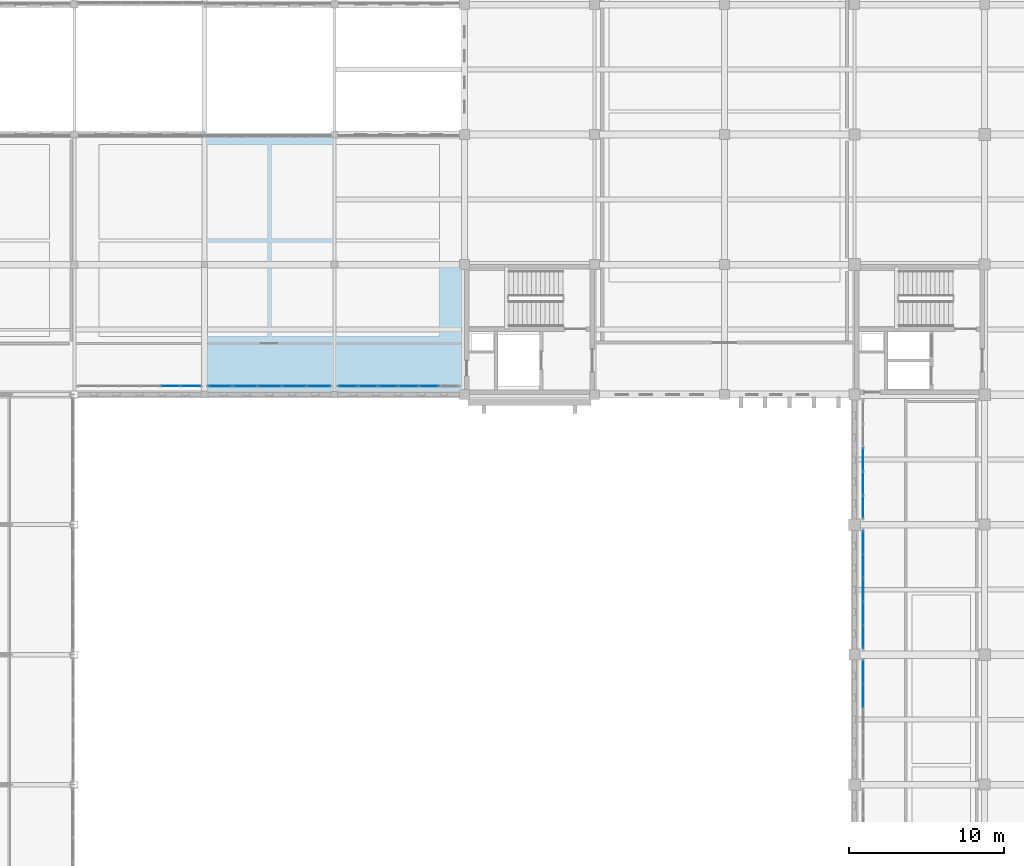
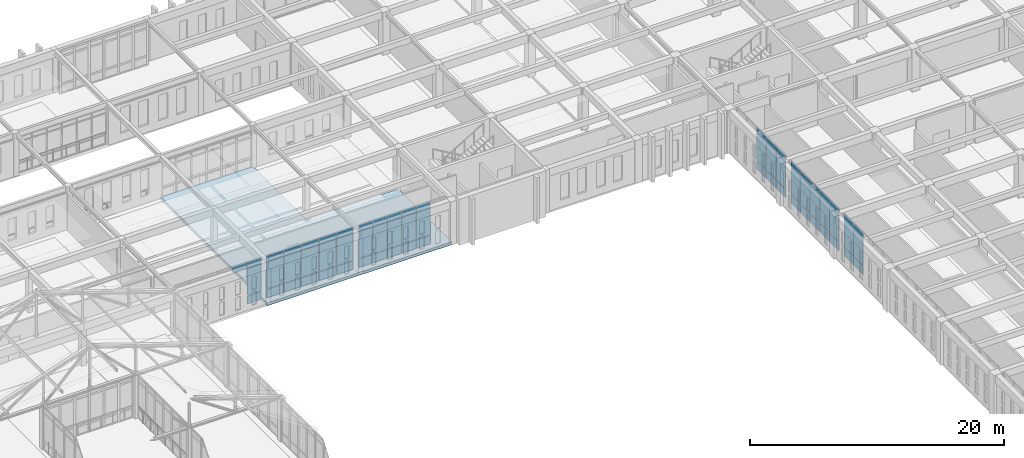
# One storey, part 125 of 192: 64 plates, 1 slab, 6 elements without a shape of their own.
"""IFC4 building model written with IfcOpenShell, lengths in metres."""

from ifc_helpers import new_model, si_unit, direction, frame, origin, origin_2d, place, context, subcontext, project, spatial, polyline, rectangle, outline, extrude, material, layer, layer_set, type_object, element, aggregate, save


model = new_model("IFC4")

# Units and contexts
model_context = context("Model", 3, precision=1e-05, world=origin(), true_north=direction((0.0, 1.0)))
body_context = subcontext(model_context, "Body", "Model", "MODEL_VIEW")
ifc_project = project(units=[si_unit("LENGTHUNIT", "METRE"), si_unit("AREAUNIT", "SQUARE_METRE"), si_unit("VOLUMEUNIT", "CUBIC_METRE"), si_unit("PLANEANGLEUNIT", "RADIAN"), si_unit("MASSUNIT", "GRAM", prefix="KILO")], contexts=[model_context])

# Site, building, storey
site_placement = place(None, origin())
site = spatial("IfcSite", under=ifc_project, at=site_placement, CompositionType="ELEMENT")
building_placement = place(site_placement, origin())
building = spatial("IfcBuilding", under=site, at=building_placement, Name="Kveldsbrygga Polytechnic", CompositionType="ELEMENT")
storey_placement = place(building_placement, frame((0.0, 0.0, 5.43994140625)))
storey = spatial("IfcBuildingStorey", under=building, at=storey_placement, Name="L01", CompositionType="ELEMENT", Elevation=5.43994140625)

# Curtain wall, plates
ifc_material_1 = material(Name="Anodised aluminium AW-6060", Category="aluminium")
ifc_layer_1 = layer(ifc_material_1, 0.18994140625)
ifc_layer_set_1 = layer_set([ifc_layer_1], Name="Anodised aluminium AW-6060")
curtain_wall_type_1 = type_object("IfcCurtainWallType", Name="CW-REFC-G", PredefinedType="USERDEFINED", material=ifc_layer_set_1)
curtain_wall_1_placement = place(storey_placement, origin())
curtain_wall_1 = element("IfcCurtainWall", 1, at=curtain_wall_1_placement, inside=storey, type_object=curtain_wall_type_1, Name="Curtain Wall CW-L01-X-10-10", ObjectType="UNITISED CURTAIN WALL", PredefinedType="USERDEFINED")
ifc_material_2 = material(Name="Insulated triple low-E glass", Category="glass")
ifc_layer_2 = layer(ifc_material_2, 0.035888671875)
ifc_layer_set_2 = layer_set([ifc_layer_2], Name="Insulated triple low-E glass")
plate_type_1 = type_object("IfcPlateType", Name="CW-PAN-VIS36", PredefinedType="CURTAIN_PANEL", material=ifc_layer_set_2)
plate_1_placement = place(storey_placement, frame((85.0283203125, 84.550048828125, 0.06005859375), z_axis=(0.0, 0.0, 1.0), x_axis=(1.0, 0.0, 0.0)))
plate_1 = element("IfcPlate", 2, at=plate_1_placement, type_object=plate_type_1, Name="CW-07 panel 1.1", PredefinedType="CURTAIN_PANEL", context=body_context, shape_type="SweptSolid", body=[
    extrude(rectangle(XDim=1.486572265625, YDim=0.035888671875, at=origin_2d()), origin(), (0.0, 0.0, 1.0), 0.81005859375),
])
plate_2_placement = place(storey_placement, frame((85.0283203125, 84.550048828125, 0.93017578125), z_axis=(0.0, 0.0, 1.0), x_axis=(1.0, 0.0, 0.0)))
plate_2 = element("IfcPlate", 3, at=plate_2_placement, type_object=plate_type_1, Name="CW-07 panel 1.2", PredefinedType="CURTAIN_PANEL", context=body_context, shape_type="SweptSolid", body=[
    extrude(rectangle(XDim=1.486572265625, YDim=0.035888671875, at=origin_2d()), origin(), (0.0, 0.0, 1.0), 2.610107421875),
])
plate_3_placement = place(storey_placement, frame((85.0283203125, 84.550048828125, 3.60009765625), z_axis=(0.0, 0.0, 1.0), x_axis=(1.0, 0.0, 0.0)))
plate_3 = element("IfcPlate", 4, at=plate_3_placement, type_object=plate_type_1, Name="CW-07 panel 1.3", PredefinedType="CURTAIN_PANEL", context=body_context, shape_type="SweptSolid", body=[
    extrude(rectangle(XDim=1.486572265625, YDim=0.035888671875, at=origin_2d()), origin(), (0.0, 0.0, 1.0), 0.4599609375),
])
plate_4_placement = place(storey_placement, frame((86.6083984375, 84.550048828125, 0.06005859375), z_axis=(0.0, 0.0, 1.0), x_axis=(1.0, 0.0, 0.0)))
plate_4 = element("IfcPlate", 5, at=plate_4_placement, type_object=plate_type_1, Name="CW-07 panel 2.1", PredefinedType="CURTAIN_PANEL", context=body_context, shape_type="SweptSolid", body=[
    extrude(rectangle(XDim=1.52392578125, YDim=0.035888671875, at=origin_2d()), origin(), (0.0, 0.0, 1.0), 0.81005859375),
])
plate_5_placement = place(storey_placement, frame((86.6083984375, 84.550048828125, 0.93017578125), z_axis=(0.0, 0.0, 1.0), x_axis=(1.0, 0.0, 0.0)))
plate_5 = element("IfcPlate", 6, at=plate_5_placement, type_object=plate_type_1, Name="CW-07 panel 2.2", PredefinedType="CURTAIN_PANEL", context=body_context, shape_type="SweptSolid", body=[
    extrude(rectangle(XDim=1.52392578125, YDim=0.035888671875, at=origin_2d()), origin(), (0.0, 0.0, 1.0), 2.610107421875),
])
plate_6_placement = place(storey_placement, frame((86.6083984375, 84.550048828125, 3.60009765625), z_axis=(0.0, 0.0, 1.0), x_axis=(1.0, 0.0, 0.0)))
plate_6 = element("IfcPlate", 7, at=plate_6_placement, type_object=plate_type_1, Name="CW-07 panel 2.3", PredefinedType="CURTAIN_PANEL", context=body_context, shape_type="SweptSolid", body=[
    extrude(rectangle(XDim=1.52392578125, YDim=0.035888671875, at=origin_2d()), origin(), (0.0, 0.0, 1.0), 0.4599609375),
])
plate_7_placement = place(storey_placement, frame((88.20751953125, 84.550048828125, 0.06005859375), z_axis=(0.0, 0.0, 1.0), x_axis=(1.0, 0.0, 0.0)))
plate_7 = element("IfcPlate", 8, at=plate_7_placement, type_object=plate_type_1, Name="CW-07 panel 3.1", PredefinedType="CURTAIN_PANEL", context=body_context, shape_type="SweptSolid", body=[
    extrude(rectangle(XDim=1.52392578125, YDim=0.035888671875, at=origin_2d()), origin(), (0.0, 0.0, 1.0), 0.81005859375),
])
plate_8_placement = place(storey_placement, frame((88.20751953125, 84.550048828125, 0.93017578125), z_axis=(0.0, 0.0, 1.0), x_axis=(1.0, 0.0, 0.0)))
plate_8 = element("IfcPlate", 9, at=plate_8_placement, type_object=plate_type_1, Name="CW-07 panel 3.2", PredefinedType="CURTAIN_PANEL", context=body_context, shape_type="SweptSolid", body=[
    extrude(rectangle(XDim=1.52392578125, YDim=0.035888671875, at=origin_2d()), origin(), (0.0, 0.0, 1.0), 2.610107421875),
])
plate_9_placement = place(storey_placement, frame((88.20751953125, 84.550048828125, 3.60009765625), z_axis=(0.0, 0.0, 1.0), x_axis=(1.0, 0.0, 0.0)))
plate_9 = element("IfcPlate", 10, at=plate_9_placement, type_object=plate_type_1, Name="CW-07 panel 3.3", PredefinedType="CURTAIN_PANEL", context=body_context, shape_type="SweptSolid", body=[
    extrude(rectangle(XDim=1.52392578125, YDim=0.035888671875, at=origin_2d()), origin(), (0.0, 0.0, 1.0), 0.4599609375),
])
plate_10_placement = place(storey_placement, frame((89.806396484375, 84.550048828125, 0.06005859375), z_axis=(0.0, 0.0, 1.0), x_axis=(1.0, 0.0, 0.0)))
plate_10 = element("IfcPlate", 11, at=plate_10_placement, type_object=plate_type_1, Name="CW-07 panel 4.1", PredefinedType="CURTAIN_PANEL", context=body_context, shape_type="SweptSolid", body=[
    extrude(rectangle(XDim=1.52392578125, YDim=0.035888671875, at=origin_2d()), origin(), (0.0, 0.0, 1.0), 0.81005859375),
])
plate_11_placement = place(storey_placement, frame((89.806396484375, 84.550048828125, 0.93017578125), z_axis=(0.0, 0.0, 1.0), x_axis=(1.0, 0.0, 0.0)))
plate_11 = element("IfcPlate", 12, at=plate_11_placement, type_object=plate_type_1, Name="CW-07 panel 4.2", PredefinedType="CURTAIN_PANEL", context=body_context, shape_type="SweptSolid", body=[
    extrude(rectangle(XDim=1.52392578125, YDim=0.035888671875, at=origin_2d()), origin(), (0.0, 0.0, 1.0), 2.610107421875),
])
plate_12_placement = place(storey_placement, frame((89.806396484375, 84.550048828125, 3.60009765625), z_axis=(0.0, 0.0, 1.0), x_axis=(1.0, 0.0, 0.0)))
plate_12 = element("IfcPlate", 13, at=plate_12_placement, type_object=plate_type_1, Name="CW-07 panel 4.3", PredefinedType="CURTAIN_PANEL", context=body_context, shape_type="SweptSolid", body=[
    extrude(rectangle(XDim=1.52392578125, YDim=0.035888671875, at=origin_2d()), origin(), (0.0, 0.0, 1.0), 0.4599609375),
])
plate_13_placement = place(storey_placement, frame((91.38671875, 84.550048828125, 0.06005859375), z_axis=(0.0, 0.0, 1.0), x_axis=(1.0, 0.0, 0.0)))
plate_13 = element("IfcPlate", 14, at=plate_13_placement, type_object=plate_type_1, Name="CW-07 panel 5.1", PredefinedType="CURTAIN_PANEL", context=body_context, shape_type="SweptSolid", body=[
    extrude(rectangle(XDim=1.486572265625, YDim=0.035888671875, at=origin_2d()), origin(), (0.0, 0.0, 1.0), 0.81005859375),
])
plate_14_placement = place(storey_placement, frame((91.38671875, 84.550048828125, 0.93017578125), z_axis=(0.0, 0.0, 1.0), x_axis=(1.0, 0.0, 0.0)))
plate_14 = element("IfcPlate", 15, at=plate_14_placement, type_object=plate_type_1, Name="CW-07 panel 5.2", PredefinedType="CURTAIN_PANEL", context=body_context, shape_type="SweptSolid", body=[
    extrude(rectangle(XDim=1.486572265625, YDim=0.035888671875, at=origin_2d()), origin(), (0.0, 0.0, 1.0), 2.610107421875),
])
plate_15_placement = place(storey_placement, frame((91.38671875, 84.550048828125, 3.60009765625), z_axis=(0.0, 0.0, 1.0), x_axis=(1.0, 0.0, 0.0)))
plate_15 = element("IfcPlate", 16, at=plate_15_placement, type_object=plate_type_1, Name="CW-07 panel 5.3", PredefinedType="CURTAIN_PANEL", context=body_context, shape_type="SweptSolid", body=[
    extrude(rectangle(XDim=1.486572265625, YDim=0.035888671875, at=origin_2d()), origin(), (0.0, 0.0, 1.0), 0.4599609375),
])
aggregate(curtain_wall_1, [plate_1, plate_2, plate_3, plate_4, plate_5, plate_6, plate_7, plate_8, plate_9, plate_10, plate_11, plate_12, plate_13, plate_14, plate_15])

ifc_layer_3 = layer(ifc_material_1, 0.179931640625)
ifc_layer_set_3 = layer_set([ifc_layer_3], Name="Anodised aluminium AW-6060")
curtain_wall_type_2 = type_object("IfcCurtainWallType", Name="CW-CONC-A", PredefinedType="USERDEFINED", material=ifc_layer_set_3)
curtain_wall_2_placement = place(storey_placement, origin())
curtain_wall_2 = element("IfcCurtainWall", 17, at=curtain_wall_2_placement, inside=storey, type_object=curtain_wall_type_2, Name="Curtain Wall CW-L01-Y-15-07", ObjectType="UNITISED CURTAIN WALL", PredefinedType="USERDEFINED")
plate_16_placement = place(storey_placement, frame((126.550048828125, 64.54638671875, 0.06005859375), z_axis=(0.0, 0.0, 1.0), x_axis=(0.0, 1.0, 0.0)))
plate_16 = element("IfcPlate", 18, at=plate_16_placement, type_object=plate_type_1, Name="CW-01 panel 4.1", PredefinedType="CURTAIN_PANEL", context=body_context, shape_type="SweptSolid", body=[
    extrude(rectangle(XDim=1.47900390625, YDim=0.035888671875, at=origin_2d()), origin(), (0.0, 0.0, 1.0), 0.81005859375),
])
plate_17_placement = place(storey_placement, frame((126.550048828125, 64.54638671875, 0.93017578125), z_axis=(0.0, 0.0, 1.0), x_axis=(0.0, 1.0, 0.0)))
plate_17 = element("IfcPlate", 19, at=plate_17_placement, type_object=plate_type_1, Name="CW-01 panel 4.2", PredefinedType="CURTAIN_PANEL", context=body_context, shape_type="SweptSolid", body=[
    extrude(rectangle(XDim=1.47900390625, YDim=0.035888671875, at=origin_2d()), origin(), (0.0, 0.0, 1.0), 2.610107421875),
])
plate_18_placement = place(storey_placement, frame((126.550048828125, 64.54638671875, 3.60009765625), z_axis=(0.0, 0.0, 1.0), x_axis=(0.0, 1.0, 0.0)))
plate_18 = element("IfcPlate", 20, at=plate_18_placement, type_object=plate_type_1, Name="CW-01 panel 4.3", PredefinedType="CURTAIN_PANEL", context=body_context, shape_type="SweptSolid", body=[
    extrude(rectangle(XDim=1.47900390625, YDim=0.035888671875, at=origin_2d()), origin(), (0.0, 0.0, 1.0), 0.4599609375),
])
plate_19_placement = place(storey_placement, frame((126.550048828125, 66.070556640625, 0.06005859375), z_axis=(0.0, 0.0, 1.0), x_axis=(0.0, 1.0, 0.0)))
plate_19 = element("IfcPlate", 21, at=plate_19_placement, type_object=plate_type_1, Name="CW-01 panel 5.1", PredefinedType="CURTAIN_PANEL", context=body_context, shape_type="SweptSolid", body=[
    extrude(rectangle(XDim=1.448974609375, YDim=0.035888671875, at=origin_2d()), origin(), (0.0, 0.0, 1.0), 0.81005859375),
])
plate_20_placement = place(storey_placement, frame((126.550048828125, 66.070556640625, 0.93017578125), z_axis=(0.0, 0.0, 1.0), x_axis=(0.0, 1.0, 0.0)))
plate_20 = element("IfcPlate", 22, at=plate_20_placement, type_object=plate_type_1, Name="CW-01 panel 5.2", PredefinedType="CURTAIN_PANEL", context=body_context, shape_type="SweptSolid", body=[
    extrude(rectangle(XDim=1.448974609375, YDim=0.035888671875, at=origin_2d()), origin(), (0.0, 0.0, 1.0), 2.610107421875),
])
plate_21_placement = place(storey_placement, frame((126.550048828125, 66.070556640625, 3.60009765625), z_axis=(0.0, 0.0, 1.0), x_axis=(0.0, 1.0, 0.0)))
plate_21 = element("IfcPlate", 23, at=plate_21_placement, type_object=plate_type_1, Name="CW-01 panel 5.3", PredefinedType="CURTAIN_PANEL", context=body_context, shape_type="SweptSolid", body=[
    extrude(rectangle(XDim=1.448974609375, YDim=0.035888671875, at=origin_2d()), origin(), (0.0, 0.0, 1.0), 0.4599609375),
])
aggregate(curtain_wall_2, [plate_16, plate_17, plate_18, plate_19, plate_20, plate_21])

ifc_layer_4 = layer(ifc_material_1, 0.2099609375)
ifc_layer_set_4 = layer_set([ifc_layer_4], Name="Anodised aluminium AW-6060")
curtain_wall_type_3 = type_object("IfcCurtainWallType", Name="CW-LIBR-H", PredefinedType="USERDEFINED", material=ifc_layer_set_4)
curtain_wall_3_placement = place(storey_placement, origin())
curtain_wall_3 = element("IfcCurtainWall", 24, at=curtain_wall_3_placement, inside=storey, type_object=curtain_wall_type_3, Name="Curtain Wall CW-L01-X-11-10", ObjectType="UNITISED CURTAIN WALL", PredefinedType="USERDEFINED")
ifc_layer_5 = layer(ifc_material_2, 0.0419921875)
ifc_layer_set_5 = layer_set([ifc_layer_5], Name="Insulated triple low-E glass")
plate_type_2 = type_object("IfcPlateType", Name="CW-PAN-VIS42", PredefinedType="CURTAIN_PANEL", material=ifc_layer_set_5)
plate_22_placement = place(storey_placement, frame((93.271728515625, 84.550048828125, 0.06005859375), z_axis=(0.0, 0.0, 1.0), x_axis=(1.0, 0.0, 0.0)))
plate_22 = element("IfcPlate", 25, at=plate_22_placement, type_object=plate_type_2, Name="CW-08 panel 1.1", PredefinedType="CURTAIN_PANEL", context=body_context, shape_type="SweptSolid", body=[
    extrude(rectangle(XDim=1.203369140625, YDim=0.0419921875, at=origin_2d()), origin(), (0.0, 0.0, 1.0), 0.81005859375),
])
plate_23_placement = place(storey_placement, frame((93.271728515625, 84.550048828125, 0.93017578125), z_axis=(0.0, 0.0, 1.0), x_axis=(1.0, 0.0, 0.0)))
plate_23 = element("IfcPlate", 26, at=plate_23_placement, type_object=plate_type_2, Name="CW-08 panel 1.2", PredefinedType="CURTAIN_PANEL", context=body_context, shape_type="SweptSolid", body=[
    extrude(rectangle(XDim=1.203369140625, YDim=0.0419921875, at=origin_2d()), origin(), (0.0, 0.0, 1.0), 2.610107421875),
])
plate_24_placement = place(storey_placement, frame((93.271728515625, 84.550048828125, 3.60009765625), z_axis=(0.0, 0.0, 1.0), x_axis=(1.0, 0.0, 0.0)))
plate_24 = element("IfcPlate", 27, at=plate_24_placement, type_object=plate_type_2, Name="CW-08 panel 1.3", PredefinedType="CURTAIN_PANEL", context=body_context, shape_type="SweptSolid", body=[
    extrude(rectangle(XDim=1.203369140625, YDim=0.0419921875, at=origin_2d()), origin(), (0.0, 0.0, 1.0), 0.4599609375),
])
plate_25_placement = place(storey_placement, frame((94.56884765625, 84.550048828125, 0.06005859375), z_axis=(0.0, 0.0, 1.0), x_axis=(1.0, 0.0, 0.0)))
plate_25 = element("IfcPlate", 28, at=plate_25_placement, type_object=plate_type_2, Name="CW-08 panel 2.1", PredefinedType="CURTAIN_PANEL", context=body_context, shape_type="SweptSolid", body=[
    extrude(rectangle(XDim=1.24072265625, YDim=0.0419921875, at=origin_2d()), origin(), (0.0, 0.0, 1.0), 0.81005859375),
])
plate_26_placement = place(storey_placement, frame((94.56884765625, 84.550048828125, 0.93017578125), z_axis=(0.0, 0.0, 1.0), x_axis=(1.0, 0.0, 0.0)))
plate_26 = element("IfcPlate", 29, at=plate_26_placement, type_object=plate_type_2, Name="CW-08 panel 2.2", PredefinedType="CURTAIN_PANEL", context=body_context, shape_type="SweptSolid", body=[
    extrude(rectangle(XDim=1.24072265625, YDim=0.0419921875, at=origin_2d()), origin(), (0.0, 0.0, 1.0), 2.610107421875),
])
plate_27_placement = place(storey_placement, frame((94.56884765625, 84.550048828125, 3.60009765625), z_axis=(0.0, 0.0, 1.0), x_axis=(1.0, 0.0, 0.0)))
plate_27 = element("IfcPlate", 30, at=plate_27_placement, type_object=plate_type_2, Name="CW-08 panel 2.3", PredefinedType="CURTAIN_PANEL", context=body_context, shape_type="SweptSolid", body=[
    extrude(rectangle(XDim=1.24072265625, YDim=0.0419921875, at=origin_2d()), origin(), (0.0, 0.0, 1.0), 0.4599609375),
])
plate_28_placement = place(storey_placement, frame((95.884521484375, 84.550048828125, 0.06005859375), z_axis=(0.0, 0.0, 1.0), x_axis=(1.0, 0.0, 0.0)))
plate_28 = element("IfcPlate", 31, at=plate_28_placement, type_object=plate_type_2, Name="CW-08 panel 3.1", PredefinedType="CURTAIN_PANEL", context=body_context, shape_type="SweptSolid", body=[
    extrude(rectangle(XDim=1.24072265625, YDim=0.0419921875, at=origin_2d()), origin(), (0.0, 0.0, 1.0), 0.81005859375),
])
plate_29_placement = place(storey_placement, frame((95.884521484375, 84.550048828125, 0.93017578125), z_axis=(0.0, 0.0, 1.0), x_axis=(1.0, 0.0, 0.0)))
plate_29 = element("IfcPlate", 32, at=plate_29_placement, type_object=plate_type_2, Name="CW-08 panel 3.2", PredefinedType="CURTAIN_PANEL", context=body_context, shape_type="SweptSolid", body=[
    extrude(rectangle(XDim=1.24072265625, YDim=0.0419921875, at=origin_2d()), origin(), (0.0, 0.0, 1.0), 2.610107421875),
])
plate_30_placement = place(storey_placement, frame((95.884521484375, 84.550048828125, 3.60009765625), z_axis=(0.0, 0.0, 1.0), x_axis=(1.0, 0.0, 0.0)))
plate_30 = element("IfcPlate", 33, at=plate_30_placement, type_object=plate_type_2, Name="CW-08 panel 3.3", PredefinedType="CURTAIN_PANEL", context=body_context, shape_type="SweptSolid", body=[
    extrude(rectangle(XDim=1.24072265625, YDim=0.0419921875, at=origin_2d()), origin(), (0.0, 0.0, 1.0), 0.4599609375),
])
plate_31_placement = place(storey_placement, frame((97.200439453125, 84.550048828125, 0.06005859375), z_axis=(0.0, 0.0, 1.0), x_axis=(1.0, 0.0, 0.0)))
plate_31 = element("IfcPlate", 34, at=plate_31_placement, type_object=plate_type_2, Name="CW-08 panel 4.1", PredefinedType="CURTAIN_PANEL", context=body_context, shape_type="SweptSolid", body=[
    extrude(rectangle(XDim=1.24072265625, YDim=0.0419921875, at=origin_2d()), origin(), (0.0, 0.0, 1.0), 0.81005859375),
])
plate_32_placement = place(storey_placement, frame((97.200439453125, 84.550048828125, 0.93017578125), z_axis=(0.0, 0.0, 1.0), x_axis=(1.0, 0.0, 0.0)))
plate_32 = element("IfcPlate", 35, at=plate_32_placement, type_object=plate_type_2, Name="CW-08 panel 4.2", PredefinedType="CURTAIN_PANEL", context=body_context, shape_type="SweptSolid", body=[
    extrude(rectangle(XDim=1.24072265625, YDim=0.0419921875, at=origin_2d()), origin(), (0.0, 0.0, 1.0), 2.610107421875),
])
plate_33_placement = place(storey_placement, frame((97.200439453125, 84.550048828125, 3.60009765625), z_axis=(0.0, 0.0, 1.0), x_axis=(1.0, 0.0, 0.0)))
plate_33 = element("IfcPlate", 36, at=plate_33_placement, type_object=plate_type_2, Name="CW-08 panel 4.3", PredefinedType="CURTAIN_PANEL", context=body_context, shape_type="SweptSolid", body=[
    extrude(rectangle(XDim=1.24072265625, YDim=0.0419921875, at=origin_2d()), origin(), (0.0, 0.0, 1.0), 0.4599609375),
])
plate_34_placement = place(storey_placement, frame((98.516357421875, 84.550048828125, 0.06005859375), z_axis=(0.0, 0.0, 1.0), x_axis=(1.0, 0.0, 0.0)))
plate_34 = element("IfcPlate", 37, at=plate_34_placement, type_object=plate_type_2, Name="CW-08 panel 5.1", PredefinedType="CURTAIN_PANEL", context=body_context, shape_type="SweptSolid", body=[
    extrude(rectangle(XDim=1.24072265625, YDim=0.0419921875, at=origin_2d()), origin(), (0.0, 0.0, 1.0), 0.81005859375),
])
plate_35_placement = place(storey_placement, frame((98.516357421875, 84.550048828125, 0.93017578125), z_axis=(0.0, 0.0, 1.0), x_axis=(1.0, 0.0, 0.0)))
plate_35 = element("IfcPlate", 38, at=plate_35_placement, type_object=plate_type_2, Name="CW-08 panel 5.2", PredefinedType="CURTAIN_PANEL", context=body_context, shape_type="SweptSolid", body=[
    extrude(rectangle(XDim=1.24072265625, YDim=0.0419921875, at=origin_2d()), origin(), (0.0, 0.0, 1.0), 2.610107421875),
])
plate_36_placement = place(storey_placement, frame((98.516357421875, 84.550048828125, 3.60009765625), z_axis=(0.0, 0.0, 1.0), x_axis=(1.0, 0.0, 0.0)))
plate_36 = element("IfcPlate", 39, at=plate_36_placement, type_object=plate_type_2, Name="CW-08 panel 5.3", PredefinedType="CURTAIN_PANEL", context=body_context, shape_type="SweptSolid", body=[
    extrude(rectangle(XDim=1.24072265625, YDim=0.0419921875, at=origin_2d()), origin(), (0.0, 0.0, 1.0), 0.4599609375),
])
aggregate(curtain_wall_3, [plate_22, plate_23, plate_24, plate_25, plate_26, plate_27, plate_28, plate_29, plate_30, plate_31, plate_32, plate_33, plate_34, plate_35, plate_36])

ifc_layer_6 = layer(ifc_material_1, 0.199951171875)
ifc_layer_set_6 = layer_set([ifc_layer_6], Name="Anodised aluminium AW-6060")
curtain_wall_type_4 = type_object("IfcCurtainWallType", Name="CW-CONC-B", PredefinedType="USERDEFINED", material=ifc_layer_set_6)
curtain_wall_4_placement = place(storey_placement, origin())
curtain_wall_4 = element("IfcCurtainWall", 40, at=curtain_wall_4_placement, inside=storey, type_object=curtain_wall_type_4, Name="Curtain Wall CW-L01-Y-15-08", ObjectType="UNITISED CURTAIN WALL", PredefinedType="USERDEFINED")
plate_37_placement = place(storey_placement, frame((126.550048828125, 68.32958984375, 0.06005859375), z_axis=(0.0, 0.0, 1.0), x_axis=(0.0, 1.0, 0.0)))
plate_37 = element("IfcPlate", 41, at=plate_37_placement, type_object=plate_type_2, Name="CW-02 panel 1.1", PredefinedType="CURTAIN_PANEL", context=body_context, shape_type="SweptSolid", body=[
    extrude(rectangle(XDim=1.448974609375, YDim=0.0419921875, at=origin_2d()), origin(), (0.0, 0.0, 1.0), 0.81005859375),
])
plate_38_placement = place(storey_placement, frame((126.550048828125, 68.32958984375, 0.93017578125), z_axis=(0.0, 0.0, 1.0), x_axis=(0.0, 1.0, 0.0)))
plate_38 = element("IfcPlate", 42, at=plate_38_placement, type_object=plate_type_2, Name="CW-02 panel 1.2", PredefinedType="CURTAIN_PANEL", context=body_context, shape_type="SweptSolid", body=[
    extrude(rectangle(XDim=1.448974609375, YDim=0.0419921875, at=origin_2d()), origin(), (0.0, 0.0, 1.0), 2.610107421875),
])
plate_39_placement = place(storey_placement, frame((126.550048828125, 68.32958984375, 3.60009765625), z_axis=(0.0, 0.0, 1.0), x_axis=(0.0, 1.0, 0.0)))
plate_39 = element("IfcPlate", 43, at=plate_39_placement, type_object=plate_type_2, Name="CW-02 panel 1.3", PredefinedType="CURTAIN_PANEL", context=body_context, shape_type="SweptSolid", body=[
    extrude(rectangle(XDim=1.448974609375, YDim=0.0419921875, at=origin_2d()), origin(), (0.0, 0.0, 1.0), 0.4599609375),
])
plate_40_placement = place(storey_placement, frame((126.550048828125, 69.853515625, 0.06005859375), z_axis=(0.0, 0.0, 1.0), x_axis=(0.0, 1.0, 0.0)))
plate_40 = element("IfcPlate", 44, at=plate_40_placement, type_object=plate_type_2, Name="CW-02 panel 2.1", PredefinedType="CURTAIN_PANEL", context=body_context, shape_type="SweptSolid", body=[
    extrude(rectangle(XDim=1.47900390625, YDim=0.0419921875, at=origin_2d()), origin(), (0.0, 0.0, 1.0), 0.81005859375),
])
plate_41_placement = place(storey_placement, frame((126.550048828125, 69.853515625, 0.93017578125), z_axis=(0.0, 0.0, 1.0), x_axis=(0.0, 1.0, 0.0)))
plate_41 = element("IfcPlate", 45, at=plate_41_placement, type_object=plate_type_2, Name="CW-02 panel 2.2", PredefinedType="CURTAIN_PANEL", context=body_context, shape_type="SweptSolid", body=[
    extrude(rectangle(XDim=1.47900390625, YDim=0.0419921875, at=origin_2d()), origin(), (0.0, 0.0, 1.0), 2.610107421875),
])
plate_42_placement = place(storey_placement, frame((126.550048828125, 69.853515625, 3.60009765625), z_axis=(0.0, 0.0, 1.0), x_axis=(0.0, 1.0, 0.0)))
plate_42 = element("IfcPlate", 46, at=plate_42_placement, type_object=plate_type_2, Name="CW-02 panel 2.3", PredefinedType="CURTAIN_PANEL", context=body_context, shape_type="SweptSolid", body=[
    extrude(rectangle(XDim=1.47900390625, YDim=0.0419921875, at=origin_2d()), origin(), (0.0, 0.0, 1.0), 0.4599609375),
])
plate_43_placement = place(storey_placement, frame((126.550048828125, 71.392578125, 0.06005859375), z_axis=(0.0, 0.0, 1.0), x_axis=(0.0, 1.0, 0.0)))
plate_43 = element("IfcPlate", 47, at=plate_43_placement, type_object=plate_type_2, Name="CW-02 panel 3.1", PredefinedType="CURTAIN_PANEL", context=body_context, shape_type="SweptSolid", body=[
    extrude(rectangle(XDim=1.47900390625, YDim=0.0419921875, at=origin_2d()), origin(), (0.0, 0.0, 1.0), 0.81005859375),
])
plate_44_placement = place(storey_placement, frame((126.550048828125, 71.392578125, 0.93017578125), z_axis=(0.0, 0.0, 1.0), x_axis=(0.0, 1.0, 0.0)))
plate_44 = element("IfcPlate", 48, at=plate_44_placement, type_object=plate_type_2, Name="CW-02 panel 3.2", PredefinedType="CURTAIN_PANEL", context=body_context, shape_type="SweptSolid", body=[
    extrude(rectangle(XDim=1.47900390625, YDim=0.0419921875, at=origin_2d()), origin(), (0.0, 0.0, 1.0), 2.610107421875),
])
plate_45_placement = place(storey_placement, frame((126.550048828125, 71.392578125, 3.60009765625), z_axis=(0.0, 0.0, 1.0), x_axis=(0.0, 1.0, 0.0)))
plate_45 = element("IfcPlate", 49, at=plate_45_placement, type_object=plate_type_2, Name="CW-02 panel 3.3", PredefinedType="CURTAIN_PANEL", context=body_context, shape_type="SweptSolid", body=[
    extrude(rectangle(XDim=1.47900390625, YDim=0.0419921875, at=origin_2d()), origin(), (0.0, 0.0, 1.0), 0.4599609375),
])
plate_46_placement = place(storey_placement, frame((126.550048828125, 72.931396484375, 0.06005859375), z_axis=(0.0, 0.0, 1.0), x_axis=(0.0, 1.0, 0.0)))
plate_46 = element("IfcPlate", 50, at=plate_46_placement, type_object=plate_type_2, Name="CW-02 panel 4.1", PredefinedType="CURTAIN_PANEL", context=body_context, shape_type="SweptSolid", body=[
    extrude(rectangle(XDim=1.47900390625, YDim=0.0419921875, at=origin_2d()), origin(), (0.0, 0.0, 1.0), 0.81005859375),
])
plate_47_placement = place(storey_placement, frame((126.550048828125, 72.931396484375, 0.93017578125), z_axis=(0.0, 0.0, 1.0), x_axis=(0.0, 1.0, 0.0)))
plate_47 = element("IfcPlate", 51, at=plate_47_placement, type_object=plate_type_2, Name="CW-02 panel 4.2", PredefinedType="CURTAIN_PANEL", context=body_context, shape_type="SweptSolid", body=[
    extrude(rectangle(XDim=1.47900390625, YDim=0.0419921875, at=origin_2d()), origin(), (0.0, 0.0, 1.0), 2.610107421875),
])
plate_48_placement = place(storey_placement, frame((126.550048828125, 72.931396484375, 3.60009765625), z_axis=(0.0, 0.0, 1.0), x_axis=(0.0, 1.0, 0.0)))
plate_48 = element("IfcPlate", 52, at=plate_48_placement, type_object=plate_type_2, Name="CW-02 panel 4.3", PredefinedType="CURTAIN_PANEL", context=body_context, shape_type="SweptSolid", body=[
    extrude(rectangle(XDim=1.47900390625, YDim=0.0419921875, at=origin_2d()), origin(), (0.0, 0.0, 1.0), 0.4599609375),
])
plate_49_placement = place(storey_placement, frame((126.550048828125, 74.45556640625, 0.06005859375), z_axis=(0.0, 0.0, 1.0), x_axis=(0.0, 1.0, 0.0)))
plate_49 = element("IfcPlate", 53, at=plate_49_placement, type_object=plate_type_2, Name="CW-02 panel 5.1", PredefinedType="CURTAIN_PANEL", context=body_context, shape_type="SweptSolid", body=[
    extrude(rectangle(XDim=1.448974609375, YDim=0.0419921875, at=origin_2d()), origin(), (0.0, 0.0, 1.0), 0.81005859375),
])
plate_50_placement = place(storey_placement, frame((126.550048828125, 74.45556640625, 0.93017578125), z_axis=(0.0, 0.0, 1.0), x_axis=(0.0, 1.0, 0.0)))
plate_50 = element("IfcPlate", 54, at=plate_50_placement, type_object=plate_type_2, Name="CW-02 panel 5.2", PredefinedType="CURTAIN_PANEL", context=body_context, shape_type="SweptSolid", body=[
    extrude(rectangle(XDim=1.448974609375, YDim=0.0419921875, at=origin_2d()), origin(), (0.0, 0.0, 1.0), 2.610107421875),
])
plate_51_placement = place(storey_placement, frame((126.550048828125, 74.45556640625, 3.60009765625), z_axis=(0.0, 0.0, 1.0), x_axis=(0.0, 1.0, 0.0)))
plate_51 = element("IfcPlate", 55, at=plate_51_placement, type_object=plate_type_2, Name="CW-02 panel 5.3", PredefinedType="CURTAIN_PANEL", context=body_context, shape_type="SweptSolid", body=[
    extrude(rectangle(XDim=1.448974609375, YDim=0.0419921875, at=origin_2d()), origin(), (0.0, 0.0, 1.0), 0.4599609375),
])
aggregate(curtain_wall_4, [plate_37, plate_38, plate_39, plate_40, plate_41, plate_42, plate_43, plate_44, plate_45, plate_46, plate_47, plate_48, plate_49, plate_50, plate_51])

ifc_layer_7 = layer(ifc_material_1, 0.169921875)
ifc_layer_set_7 = layer_set([ifc_layer_7], Name="Anodised aluminium AW-6060")
curtain_wall_type_5 = type_object("IfcCurtainWallType", Name="CW-FOYR-F", PredefinedType="USERDEFINED", material=ifc_layer_set_7)
curtain_wall_5_placement = place(storey_placement, origin())
curtain_wall_5 = element("IfcCurtainWall", 56, at=curtain_wall_5_placement, inside=storey, type_object=curtain_wall_type_5, Name="Curtain Wall CW-L01-X-09-10", ObjectType="STICK CURTAIN WALL", PredefinedType="USERDEFINED")
ifc_layer_8 = layer(ifc_material_2, 0.048095703125)
ifc_layer_set_8 = layer_set([ifc_layer_8], Name="Insulated triple low-E glass")
plate_type_3 = type_object("IfcPlateType", Name="CW-PAN-VIS48", PredefinedType="CURTAIN_PANEL", material=ifc_layer_set_8)
plate_52_placement = place(storey_placement, frame((81.798828125, 84.550048828125, 3.607666015625), z_axis=(0.0, 0.0, 1.0), x_axis=(1.0, 0.0, 0.0)))
plate_52 = element("IfcPlate", 57, at=plate_52_placement, type_object=plate_type_3, Name="CW-06 panel 5.3", PredefinedType="CURTAIN_PANEL", context=body_context, shape_type="SweptSolid", body=[
    extrude(rectangle(XDim=1.267578125, YDim=0.048095703125, at=origin_2d()), origin(), (0.0, 0.0, 1.0), 0.4375),
])
plate_53_placement = place(storey_placement, frame((83.111328125, 84.550048828125, 0.074951171875), z_axis=(0.0, 0.0, 1.0), x_axis=(1.0, 0.0, 0.0)))
plate_53 = element("IfcPlate", 58, at=plate_53_placement, type_object=plate_type_3, Name="CW-06 panel 6.1", PredefinedType="CURTAIN_PANEL", context=body_context, shape_type="SweptSolid", body=[
    extrude(rectangle(XDim=1.237548828125, YDim=0.048095703125, at=origin_2d()), origin(), (0.0, 0.0, 1.0), 0.78759765625),
])
plate_54_placement = place(storey_placement, frame((83.111328125, 84.550048828125, 0.9375), z_axis=(0.0, 0.0, 1.0), x_axis=(1.0, 0.0, 0.0)))
plate_54 = element("IfcPlate", 59, at=plate_54_placement, type_object=plate_type_3, Name="CW-06 panel 6.2", PredefinedType="CURTAIN_PANEL", context=body_context, shape_type="SweptSolid", body=[
    extrude(rectangle(XDim=1.237548828125, YDim=0.048095703125, at=origin_2d()), origin(), (0.0, 0.0, 1.0), 2.594970703125),
])
plate_55_placement = place(storey_placement, frame((83.111328125, 84.550048828125, 3.607666015625), z_axis=(0.0, 0.0, 1.0), x_axis=(1.0, 0.0, 0.0)))
plate_55 = element("IfcPlate", 60, at=plate_55_placement, type_object=plate_type_3, Name="CW-06 panel 6.3", PredefinedType="CURTAIN_PANEL", context=body_context, shape_type="SweptSolid", body=[
    extrude(rectangle(XDim=1.237548828125, YDim=0.048095703125, at=origin_2d()), origin(), (0.0, 0.0, 1.0), 0.4375),
])
aggregate(curtain_wall_5, [plate_52, plate_53, plate_54, plate_55])

ifc_layer_9 = layer(ifc_material_1, 0.159912109375)
ifc_layer_set_9 = layer_set([ifc_layer_9], Name="Anodised aluminium AW-6060")
curtain_wall_type_6 = type_object("IfcCurtainWallType", Name="CW-CLER-C", PredefinedType="USERDEFINED", material=ifc_layer_set_9)
curtain_wall_6_placement = place(storey_placement, origin())
curtain_wall_6 = element("IfcCurtainWall", 61, at=curtain_wall_6_placement, inside=storey, type_object=curtain_wall_type_6, Name="Curtain Wall CW-L01-Y-15-09", ObjectType="STICK CURTAIN WALL", PredefinedType="USERDEFINED")
plate_56_placement = place(storey_placement, frame((126.550048828125, 76.748291015625, 0.074951171875), z_axis=(0.0, 0.0, 1.0), x_axis=(0.0, 1.0, 0.0)))
plate_56 = element("IfcPlate", 62, at=plate_56_placement, type_object=plate_type_3, Name="CW-03 panel 1.1", PredefinedType="CURTAIN_PANEL", context=body_context, shape_type="SweptSolid", body=[
    extrude(rectangle(XDim=1.426513671875, YDim=0.048095703125, at=origin_2d()), origin(), (0.0, 0.0, 1.0), 0.78759765625),
])
plate_57_placement = place(storey_placement, frame((126.550048828125, 76.748291015625, 0.9375), z_axis=(0.0, 0.0, 1.0), x_axis=(0.0, 1.0, 0.0)))
plate_57 = element("IfcPlate", 63, at=plate_57_placement, type_object=plate_type_3, Name="CW-03 panel 1.2", PredefinedType="CURTAIN_PANEL", context=body_context, shape_type="SweptSolid", body=[
    extrude(rectangle(XDim=1.426513671875, YDim=0.048095703125, at=origin_2d()), origin(), (0.0, 0.0, 1.0), 2.594970703125),
])
plate_58_placement = place(storey_placement, frame((126.550048828125, 76.748291015625, 3.607666015625), z_axis=(0.0, 0.0, 1.0), x_axis=(0.0, 1.0, 0.0)))
plate_58 = element("IfcPlate", 64, at=plate_58_placement, type_object=plate_type_3, Name="CW-03 panel 1.3", PredefinedType="CURTAIN_PANEL", context=body_context, shape_type="SweptSolid", body=[
    extrude(rectangle(XDim=1.426513671875, YDim=0.048095703125, at=origin_2d()), origin(), (0.0, 0.0, 1.0), 0.4375),
])
plate_59_placement = place(storey_placement, frame((126.550048828125, 78.2685546875, 0.074951171875), z_axis=(0.0, 0.0, 1.0), x_axis=(0.0, 1.0, 0.0)))
plate_59 = element("IfcPlate", 65, at=plate_59_placement, type_object=plate_type_3, Name="CW-03 panel 2.1", PredefinedType="CURTAIN_PANEL", context=body_context, shape_type="SweptSolid", body=[
    extrude(rectangle(XDim=1.464111328125, YDim=0.048095703125, at=origin_2d()), origin(), (0.0, 0.0, 1.0), 0.78759765625),
])
plate_60_placement = place(storey_placement, frame((126.550048828125, 78.2685546875, 0.9375), z_axis=(0.0, 0.0, 1.0), x_axis=(0.0, 1.0, 0.0)))
plate_60 = element("IfcPlate", 66, at=plate_60_placement, type_object=plate_type_3, Name="CW-03 panel 2.2", PredefinedType="CURTAIN_PANEL", context=body_context, shape_type="SweptSolid", body=[
    extrude(rectangle(XDim=1.464111328125, YDim=0.048095703125, at=origin_2d()), origin(), (0.0, 0.0, 1.0), 2.594970703125),
])
plate_61_placement = place(storey_placement, frame((126.550048828125, 78.2685546875, 3.607666015625), z_axis=(0.0, 0.0, 1.0), x_axis=(0.0, 1.0, 0.0)))
plate_61 = element("IfcPlate", 67, at=plate_61_placement, type_object=plate_type_3, Name="CW-03 panel 2.3", PredefinedType="CURTAIN_PANEL", context=body_context, shape_type="SweptSolid", body=[
    extrude(rectangle(XDim=1.464111328125, YDim=0.048095703125, at=origin_2d()), origin(), (0.0, 0.0, 1.0), 0.4375),
])
plate_62_placement = place(storey_placement, frame((126.550048828125, 79.8076171875, 0.074951171875), z_axis=(0.0, 0.0, 1.0), x_axis=(0.0, 1.0, 0.0)))
plate_62 = element("IfcPlate", 68, at=plate_62_placement, type_object=plate_type_3, Name="CW-03 panel 3.1", PredefinedType="CURTAIN_PANEL", context=body_context, shape_type="SweptSolid", body=[
    extrude(rectangle(XDim=1.464111328125, YDim=0.048095703125, at=origin_2d()), origin(), (0.0, 0.0, 1.0), 0.78759765625),
])
plate_63_placement = place(storey_placement, frame((126.550048828125, 79.8076171875, 0.9375), z_axis=(0.0, 0.0, 1.0), x_axis=(0.0, 1.0, 0.0)))
plate_63 = element("IfcPlate", 69, at=plate_63_placement, type_object=plate_type_3, Name="CW-03 panel 3.2", PredefinedType="CURTAIN_PANEL", context=body_context, shape_type="SweptSolid", body=[
    extrude(rectangle(XDim=1.464111328125, YDim=0.048095703125, at=origin_2d()), origin(), (0.0, 0.0, 1.0), 2.594970703125),
])
plate_64_placement = place(storey_placement, frame((126.550048828125, 79.8076171875, 3.607666015625), z_axis=(0.0, 0.0, 1.0), x_axis=(0.0, 1.0, 0.0)))
plate_64 = element("IfcPlate", 70, at=plate_64_placement, type_object=plate_type_3, Name="CW-03 panel 3.3", PredefinedType="CURTAIN_PANEL", context=body_context, shape_type="SweptSolid", body=[
    extrude(rectangle(XDim=1.464111328125, YDim=0.048095703125, at=origin_2d()), origin(), (0.0, 0.0, 1.0), 0.4375),
])
aggregate(curtain_wall_6, [plate_56, plate_57, plate_58, plate_59, plate_60, plate_61, plate_62, plate_63, plate_64])

# Slab
ifc_material_3 = material(Name="Concrete C35/45", Category="concrete")
ifc_layer_10 = layer(ifc_material_3, 0.280029296875)
ifc_layer_set_10 = layer_set([ifc_layer_10], Name="Concrete C35/45")
slab_type = type_object("IfcSlabType", Name="SLB-STD-280", PredefinedType="FLOOR", material=ifc_layer_set_10)
slab_placement = place(storey_placement, frame((0.0, 0.0, -0.280029296875)))
element("IfcSlab", 71, at=slab_placement, inside=storey, type_object=slab_type, Name="Slab SLB-L01-V2-L03-1", PredefinedType="FLOOR", context=body_context, shape_type="SweptSolid", body=[
    extrude(outline(polyline([(84.0, 84.0), (84.0, 92.39990234375), (84.0, 100.800048828125), (92.39990234375, 100.800048828125), (92.39990234375, 92.39990234375), (100.800048828125, 92.39990234375), (100.800048828125, 84.0), (92.39990234375, 84.0), (84.0, 84.0)])), origin(), (0.0, 0.0, 1.0), 0.280029296875),
])

save(model, "model.ifc")
